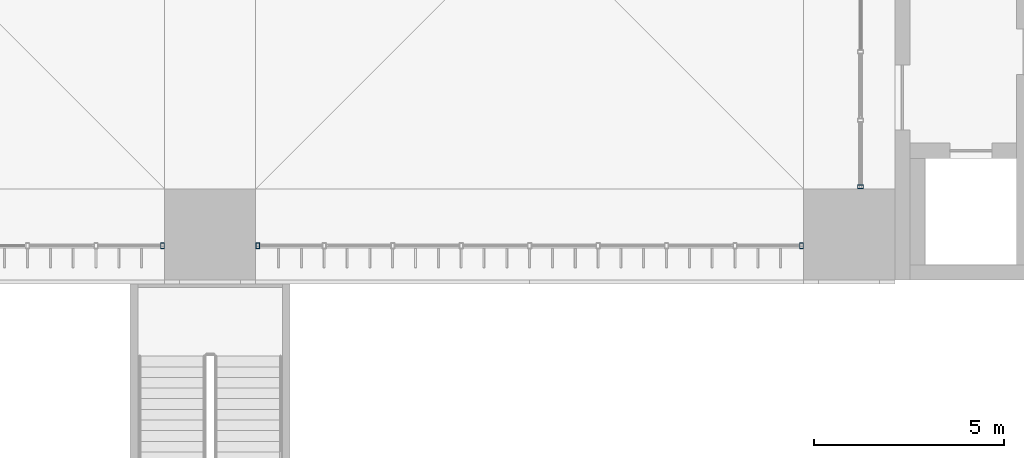
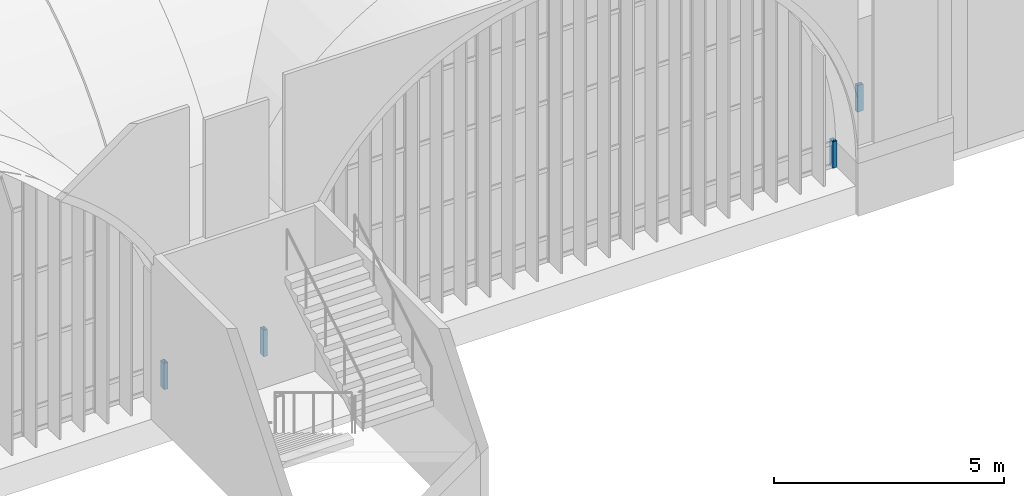
# One storey, part 72 of 169: 4 members, 3 elements without a shape of their own.
"""IFC4 building model written with IfcOpenShell, lengths in metres."""

from ifc_helpers import new_model, si_unit, direction, frame, origin, origin_2d, place, context, subcontext, project, spatial, hollow_rectangle, extrude, material, layer, layer_set, material_profile, profile_set, type_object, element, aggregate, save


model = new_model("IFC4")

# Units and contexts
model_context = context("Model", 3, precision=1e-05, world=origin(), true_north=direction((0.0, 1.0)))
body_context = subcontext(model_context, "Body", "Model", "MODEL_VIEW")
ifc_project = project(units=[si_unit("LENGTHUNIT", "METRE"), si_unit("AREAUNIT", "SQUARE_METRE"), si_unit("VOLUMEUNIT", "CUBIC_METRE"), si_unit("PLANEANGLEUNIT", "RADIAN"), si_unit("MASSUNIT", "GRAM", prefix="KILO")], contexts=[model_context])

# Site, building, storey
site_placement = place(None, origin())
site = spatial("IfcSite", under=ifc_project, at=site_placement, CompositionType="ELEMENT")
building_placement = place(site_placement, origin())
building = spatial("IfcBuilding", under=site, at=building_placement, Name="Verrick Yard Athletic Hall", CompositionType="ELEMENT")
storey_placement = place(building_placement, frame((0.0, 0.0, 4.39990234375)))
storey = spatial("IfcBuildingStorey", under=building, at=storey_placement, Name="L01", CompositionType="ELEMENT", Elevation=4.39990234375)

# Curtain wall, member
ifc_material_1 = material(Name="Aluminium and glass curtain wall", Category="aluminium")
ifc_layer_1 = layer(ifc_material_1, 0.14990234375)
ifc_layer_set_1 = layer_set([ifc_layer_1], Name="Arcade glazing arch")
curtain_wall_type_1 = type_object("IfcCurtainWallType", Name="Arcade glazing arch", PredefinedType="NOTDEFINED", material=ifc_layer_set_1)
curtain_wall_1_placement = place(storey_placement, origin())
curtain_wall_1 = element("IfcCurtainWall", 1, at=curtain_wall_1_placement, inside=storey, type_object=curtain_wall_type_1, Name="Arcade glazing S6", PredefinedType="NOTDEFINED")
ifc_material_2 = material(Name="Structural steel HSS Class C 350W (CSA G40.20/G40.21)", Category="steel")
ifc_material_profile = material_profile(ifc_material_2, hollow_rectangle(XDim=0.1015625, YDim=0.15234375, WallThickness=0.008056640625, at=origin_2d()), Name="HSS152x102x7.9")
ifc_profile_set = profile_set([ifc_material_profile], Name="Structural steel HSS Class C 350W (CSA G40.20/G40.21)")
member_type = type_object("IfcMemberType", Name="Curtain wall mullion HSS152x102x7.9", PredefinedType="MULLION", material=ifc_profile_set)
member_1_placement = place(storey_placement, frame((139.548583984375, 18.89990234375, 0.0), z_axis=(0.0, 0.0, 1.0), x_axis=(1.0, 0.0, 0.0)))
member_1 = element("IfcMember", 2, at=member_1_placement, type_object=member_type, Name="Arcade glazing S6 mullion 9", PredefinedType="MULLION", context=body_context, shape_type="SweptSolid", body=[
    extrude(hollow_rectangle(XDim=0.1015625, YDim=0.15234375, WallThickness=0.008056640625, at=origin_2d()), origin(), (0.0, 0.0, 1.0), 0.700927734375),
])
aggregate(curtain_wall_1, [member_1])

# Curtain wall, members
curtain_wall_2_placement = place(storey_placement, origin())
curtain_wall_2 = element("IfcCurtainWall", 3, at=curtain_wall_2_placement, inside=storey, type_object=curtain_wall_type_1, Name="Arcade glazing S7", PredefinedType="NOTDEFINED")
member_2_placement = place(storey_placement, frame((142.05126953125, 18.89990234375, 0.0), z_axis=(0.0, 0.0, 1.0), x_axis=(1.0, 0.0, 0.0)))
member_2 = element("IfcMember", 4, at=member_2_placement, type_object=member_type, Name="Arcade glazing S7 mullion 1", PredefinedType="MULLION", context=body_context, shape_type="SweptSolid", body=[
    extrude(hollow_rectangle(XDim=0.1015625, YDim=0.15234375, WallThickness=0.008056640625, at=origin_2d()), origin(), (0.0, 0.0, 1.0), 0.700927734375),
])
member_3_placement = place(storey_placement, frame((156.3486328125, 18.89990234375, 0.0), z_axis=(0.0, 0.0, 1.0), x_axis=(1.0, 0.0, 0.0)))
member_3 = element("IfcMember", 5, at=member_3_placement, type_object=member_type, Name="Arcade glazing S7 mullion 9", PredefinedType="MULLION", context=body_context, shape_type="SweptSolid", body=[
    extrude(hollow_rectangle(XDim=0.1015625, YDim=0.15234375, WallThickness=0.008056640625, at=origin_2d()), origin(), (0.0, 0.0, 1.0), 0.700927734375),
])
aggregate(curtain_wall_2, [member_2, member_3])

# Curtain wall, member
ifc_layer_2 = layer(ifc_material_1, 0.14990234375)
ifc_layer_set_2 = layer_set([ifc_layer_2], Name="East end glazing arch")
curtain_wall_type_2 = type_object("IfcCurtainWallType", Name="East end glazing arch", PredefinedType="NOTDEFINED", material=ifc_layer_set_2)
curtain_wall_3_placement = place(storey_placement, origin())
curtain_wall_3 = element("IfcCurtainWall", 6, at=curtain_wall_3_placement, inside=storey, type_object=curtain_wall_type_2, Name="East end glazing 1", PredefinedType="NOTDEFINED")
member_4_placement = place(storey_placement, frame((157.89990234375, 20.451416015625, 0.0), z_axis=(0.0, 0.0, 1.0), x_axis=(0.0, 1.0, 0.0)))
member_4 = element("IfcMember", 7, at=member_4_placement, type_object=member_type, Name="East end glazing 1 mullion 1", PredefinedType="MULLION", context=body_context, shape_type="SweptSolid", body=[
    extrude(hollow_rectangle(XDim=0.1015625, YDim=0.15234375, WallThickness=0.008056640625, at=origin_2d()), origin(), (0.0, 0.0, 1.0), 0.700927734375),
])
aggregate(curtain_wall_3, [member_4])

save(model, "model.ifc")
